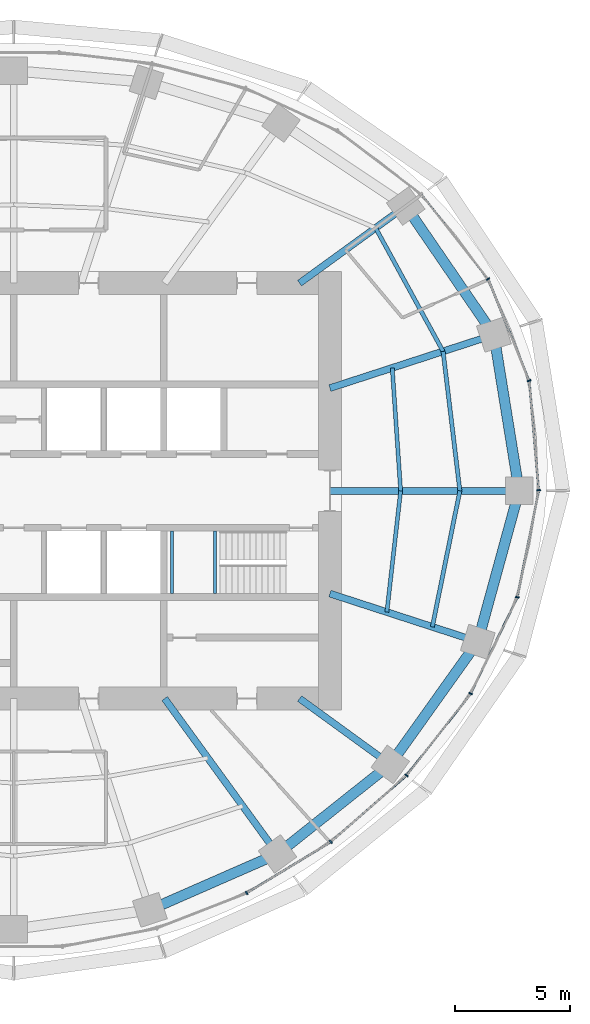
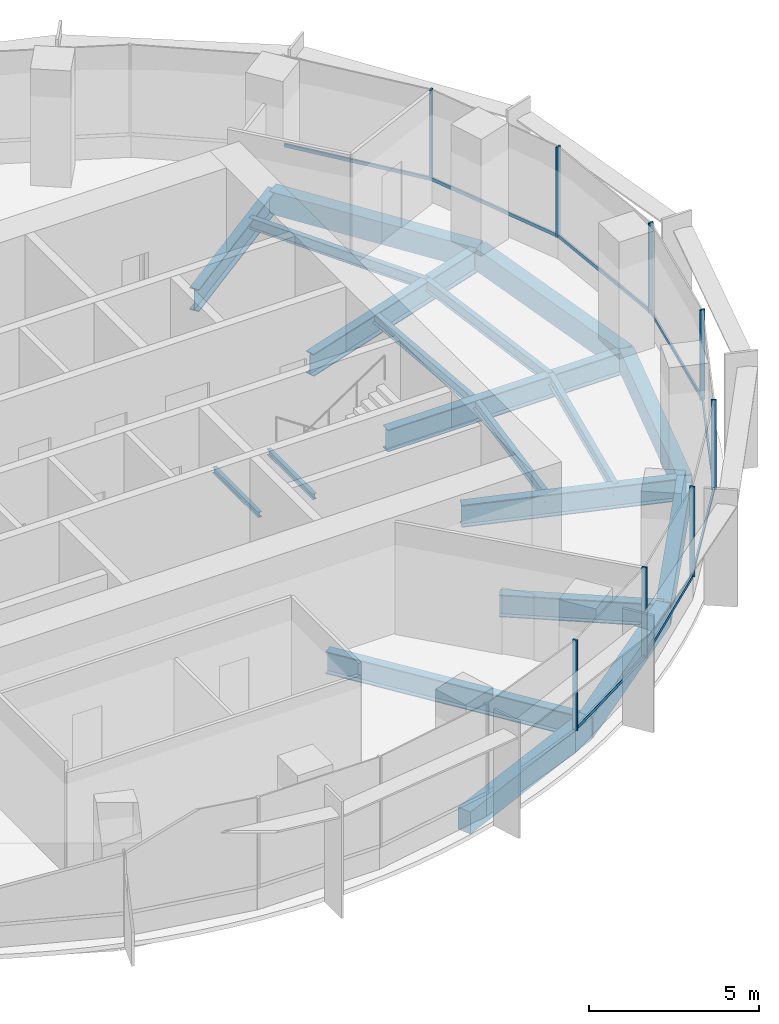
# One storey, part 5 of 13: 19 beams, 16 members, 2 elements without a shape of their own.
"""IFC4 building model written with IfcOpenShell, lengths in metres."""

import ifcopenshell
import ifcopenshell.guid

model = None  # the IFC model being written
_history = None  # IfcOwnerHistory: only IFC2X3 demands one
_inside = {}  # id of a spatial element -> (the spatial element, [elements in it])
_under = {}  # id of a project, library or spatial element -> (it, [spatial elements below it])
_declared = {}  # id of a project -> (the project, [libraries it declares])
_typed = {}  # id of a type object -> (the type object, [elements of that type])
_made_of = {}  # id of a material, layer set ... -> (it, [elements and type objects made of it])


def new_model(schema):
    """Start an empty IFC model of exactly this schema.

    Asked for "IFC4X3", IfcOpenShell would pick the latest addendum, in which some entities
    have other attributes; the version numbers below select the first issue.
    IFC2X3 requires an IfcOwnerHistory on every rooted entity: one is made here for all.
    """
    global model, _history
    if schema == "IFC4X3":
        model = ifcopenshell.file(schema_version=(4, 3, 0, 0))
    else:
        model = ifcopenshell.file(schema=schema)
    _inside.clear()
    _under.clear()
    _declared.clear()
    _typed.clear()
    _made_of.clear()
    _history = None
    if model.schema == "IFC2X3":
        org = make("IfcOrganization", Name="unknown")
        user = make(
            "IfcPersonAndOrganization",
            ThePerson=make("IfcPerson", FamilyName="unknown"),
            TheOrganization=org,
        )
        app = make(
            "IfcApplication",
            ApplicationDeveloper=org,
            Version="unknown",
            ApplicationFullName="unknown",
            ApplicationIdentifier="unknown",
        )
        _history = make(
            "IfcOwnerHistory",
            OwningUser=user,
            OwningApplication=app,
            ChangeAction="ADDED",
            CreationDate=0,
        )
    return model


def make(cls, **values):
    """One entity of the class cls with the attributes given. An attribute that is None is left unset."""
    return model.create_entity(
        cls, **{name: value for name, value in values.items() if value is not None}
    )


def rooted(cls, **values):
    """An entity with a GlobalId (a new one), such as an element, a storey or a relation."""
    return make(cls, GlobalId=ifcopenshell.guid.new(), OwnerHistory=_history, **values)


def si_unit(unit_type, name, prefix=None):
    """IfcSIUnit, for example si_unit("LENGTHUNIT", "METRE", prefix="MILLI")."""
    return make("IfcSIUnit", UnitType=unit_type, Prefix=prefix, Name=name)


def assignment(units):
    """IfcUnitAssignment: the units of a project."""
    return None if units is None else make("IfcUnitAssignment", Units=units)


def point(xyz):
    """IfcCartesianPoint."""
    return None if xyz is None else make("IfcCartesianPoint", Coordinates=xyz)


def direction(xyz):
    """IfcDirection."""
    return None if xyz is None else make("IfcDirection", DirectionRatios=xyz)


def frame(location, z_axis=None, x_axis=None):
    """IfcAxis2Placement3D, a coordinate frame: its origin and axes. An axis left out is left unset."""
    return make(
        "IfcAxis2Placement3D",
        Location=point(location),
        Axis=direction(z_axis),
        RefDirection=direction(x_axis),
    )


def frame_2d(location, x_axis=None):
    """IfcAxis2Placement2D, a coordinate frame in the plane: its origin and x axis."""
    return make(
        "IfcAxis2Placement2D", Location=point(location), RefDirection=direction(x_axis)
    )


def origin():
    """The frame at (0, 0, 0) with its axes left unset."""
    return frame((0.0, 0.0, 0.0))


def origin_2d():
    """The frame at (0, 0) in the plane with its x axis left unset."""
    return frame_2d((0.0, 0.0))


def place(relative_to, where):
    """IfcLocalPlacement: puts the frame where relative to a parent placement (None: the world)."""
    return make(
        "IfcLocalPlacement", PlacementRelTo=relative_to, RelativePlacement=where
    )


def context(
    kind, dimensions, precision=None, world=None, true_north=None, identifier=None
):
    """IfcGeometricRepresentationContext, for example the 3D "Model" context."""
    return make(
        "IfcGeometricRepresentationContext",
        ContextIdentifier=identifier,
        ContextType=kind,
        CoordinateSpaceDimension=dimensions,
        Precision=precision,
        WorldCoordinateSystem=world,
        TrueNorth=true_north,
    )


def subcontext(parent, identifier, kind, view, scale=None):
    """IfcGeometricRepresentationSubContext, for example "Body" below "Model"."""
    return make(
        "IfcGeometricRepresentationSubContext",
        ContextIdentifier=identifier,
        ContextType=kind,
        ParentContext=parent,
        TargetScale=scale,
        TargetView=view,
    )


def project(units=None, contexts=None):
    """IfcProject with its units and contexts."""
    return rooted(
        "IfcProject",
        Name="project",
        RepresentationContexts=contexts,
        UnitsInContext=assignment(units),
    )


def spatial(cls, under=None, at=None, **own):
    """A site, building, storey or space (cls), placed at a placement, below another one or the project."""
    s = rooted(cls, ObjectPlacement=at, **own)
    if under is not None:
        _under.setdefault(under.id(), (under, []))[1].append(s)
    return s


def profile(cls, at=None, kind="AREA", **sizes):
    """A parametric profile (cls). Its sizes go by their IFC names, for example OverallWidth=200.0."""
    return make(cls, ProfileType=kind, Position=at, **sizes)


def rectangle(**sizes):
    """IfcRectangleProfileDef."""
    return profile("IfcRectangleProfileDef", **sizes)


def i_section(**sizes):
    """IfcIShapeProfileDef."""
    return profile("IfcIShapeProfileDef", **sizes)


def extrude(swept, where, along, depth):
    """IfcExtrudedAreaSolid: the profile swept, set in the frame where, extruded along a direction by depth."""
    return make(
        "IfcExtrudedAreaSolid",
        SweptArea=swept,
        Position=where,
        ExtrudedDirection=direction(along),
        Depth=depth,
    )


def shape(context_of_items, identifier, shape_type, items):
    """IfcShapeRepresentation: the items that make up one representation, for example the "Body"."""
    return make(
        "IfcShapeRepresentation",
        ContextOfItems=context_of_items,
        RepresentationIdentifier=identifier,
        RepresentationType=shape_type,
        Items=items,
    )


def material(Name=None, Category=None):
    """IfcMaterial."""
    return make("IfcMaterial", Name=Name, Category=Category)


def material_profile(
    of_material, cross_section, Name=None, Category=None, Priority=None
):
    """IfcMaterialProfile: a cross section and its material."""
    return make(
        "IfcMaterialProfile",
        Name=Name,
        Material=of_material,
        Profile=cross_section,
        Priority=Priority,
        Category=Category,
    )


def profile_set(profiles, Name=None, composite=None):
    """IfcMaterialProfileSet."""
    return make(
        "IfcMaterialProfileSet",
        Name=Name,
        MaterialProfiles=profiles,
        CompositeProfile=composite,
    )


def made_of(thing, what):
    """Note that an element or type object is made of a material, layer set ...; save() writes the relation."""
    if what is not None:
        _made_of.setdefault(what.id(), (what, []))[1].append(thing)
    return thing


def type_object(cls, material=None, **own):
    """A type object (cls), such as IfcWallType, which elements share."""
    return made_of(rooted(cls, **own), material)


def element(
    cls,
    number,
    at=None,
    inside=None,
    cuts=None,
    type_object=None,
    material=None,
    context=None,
    identifier="Body",
    shape_type=None,
    held_by="IfcProductDefinitionShape",
    body=None,
    shapes=None,
    **own,
):
    """One element of the class cls, such as IfcWall. Its Tag is "e" and its number.

    at: its placement. inside: the storey or other place that contains it. cuts: it is an
    opening in that element (IfcRelVoidsElement). A single representation is given by context,
    identifier, shape_type and body (its items); several are given by shapes. held_by: the class
    of the entity that holds the representations. save() writes the other relations.
    """
    e = rooted(cls, Tag="e%d" % number, ObjectPlacement=at, **own)
    if body is not None:
        shapes = [shape(context, identifier, shape_type, body)]
    if shapes is not None:
        e.Representation = make(held_by, Representations=shapes)
    if inside is not None:
        _inside.setdefault(inside.id(), (inside, []))[1].append(e)
    if cuts is not None:
        rooted(
            "IfcRelVoidsElement", RelatingBuildingElement=cuts, RelatedOpeningElement=e
        )
    if type_object is not None:
        _typed.setdefault(type_object.id(), (type_object, []))[1].append(e)
    return made_of(e, material)


def aggregate(whole, parts):
    """IfcRelAggregates: a whole, such as a stair, and the parts it consists of."""
    return rooted("IfcRelAggregates", RelatingObject=whole, RelatedObjects=parts)


def save(model, path):
    """Write the relations noted so far, then the file.

    IfcRelAggregates (storeys below a building ...), IfcRelContainedInSpatialStructure (elements
    in a storey), IfcRelDefinesByType, IfcRelAssociatesMaterial and IfcRelDeclares: one each for
    every whole, place, type object, material and project.
    """
    for whole, parts in _under.values():
        aggregate(whole, parts)
    for where, things in _inside.values():
        rooted(
            "IfcRelContainedInSpatialStructure",
            RelatedElements=things,
            RelatingStructure=where,
        )
    for kind, things in _typed.values():
        rooted("IfcRelDefinesByType", RelatedObjects=things, RelatingType=kind)
    for what, things in _made_of.values():
        rooted("IfcRelAssociatesMaterial", RelatedObjects=things, RelatingMaterial=what)
    for by, libraries in _declared.values():
        rooted("IfcRelDeclares", RelatingContext=by, RelatedDefinitions=libraries)
    model.write(path)


model = new_model("IFC4")

# Units and contexts
model_context = context("Model", 3, precision=1e-05, world=origin(), true_north=direction((0.0, 1.0)))
body_context = subcontext(model_context, "Body", "Model", "MODEL_VIEW")
ifc_project = project(units=[si_unit("LENGTHUNIT", "METRE"), si_unit("AREAUNIT", "SQUARE_METRE"), si_unit("VOLUMEUNIT", "CUBIC_METRE"), si_unit("PLANEANGLEUNIT", "RADIAN"), si_unit("MASSUNIT", "GRAM", prefix="KILO")], contexts=[model_context])

# Site, building, storey
site_placement = place(None, origin())
site = spatial("IfcSite", under=ifc_project, at=site_placement, CompositionType="ELEMENT")
building_placement = place(site_placement, origin())
building = spatial("IfcBuilding", under=site, at=building_placement, Name="Marramba Exchange Tower", CompositionType="ELEMENT")
storey_placement = place(building_placement, frame((0.0, 0.0, 268.60009765625)))
storey = spatial("IfcBuildingStorey", under=building, at=storey_placement, Name="L65", CompositionType="ELEMENT", Elevation=268.60009765625)

# Curtain wall, members
ifc_material_1 = material(Name="Aluminium framing, bronze anodised", Category="aluminium")
curtain_wall_type = type_object("IfcCurtainWallType", Name="Executive floor ribbon curtain wall", PredefinedType="USERDEFINED", material=ifc_material_1)
curtain_wall_1_placement = place(storey_placement, origin())
curtain_wall_1 = element("IfcCurtainWall", 1, at=curtain_wall_1_placement, inside=storey, type_object=curtain_wall_type, Name="Curtain wall CW5 L65 F01-F05", ObjectType="RIBBON CURTAIN WALL", PredefinedType="USERDEFINED")
ifc_material_2 = material(Name="Aluminium mullion, bronze anodised", Category="aluminium")
ifc_material_profile_1 = material_profile(ifc_material_2, rectangle(XDim=0.159912109375, YDim=0.06005859375, at=origin_2d()), Name="CW5 mullion 60x160")
ifc_profile_set_1 = profile_set([ifc_material_profile_1], Name="Aluminium mullion, bronze anodised")
member_type_1 = type_object("IfcMemberType", Name="Executive floor ribbon curtain wall mullion", PredefinedType="MULLION", material=ifc_profile_set_1)
member_1_placement = place(storey_placement, frame((22.747314453125, 0.02978515625, 0.7998046875), z_axis=(0.0, 0.0, 1.0), x_axis=(-0.996331816632, -0.085574009881, 0.0)))
member_1 = element("IfcMember", 2, at=member_1_placement, type_object=member_type_1, Name="CW5 mullion 1", PredefinedType="MULLION", context=body_context, shape_type="SweptSolid", body=[
    extrude(rectangle(XDim=0.159912109375, YDim=0.06005859375, at=origin_2d()), origin(), (0.0, 0.0, 1.0), 3.239990234375),
])
member_2_placement = place(storey_placement, frame((22.330810546875, 4.77685546875, 0.7998046875), z_axis=(0.0, 0.0, 1.0), x_axis=(-0.927838139977, -0.372983090774, 0.0)))
member_2 = element("IfcMember", 3, at=member_2_placement, type_object=member_type_1, Name="CW5 mullion 1", PredefinedType="MULLION", context=body_context, shape_type="SweptSolid", body=[
    extrude(rectangle(XDim=0.159912109375, YDim=0.06005859375, at=origin_2d()), origin(), (0.0, 0.0, 1.0), 3.239990234375),
])
member_3_placement = place(storey_placement, frame((20.551025390625, 9.181884765625, 0.7998046875), z_axis=(0.0, 0.0, 1.0), x_axis=(-0.786002861604, -0.618222857512, 0.0)))
member_3 = element("IfcMember", 4, at=member_3_placement, type_object=member_type_1, Name="CW5 mullion 1", PredefinedType="MULLION", context=body_context, shape_type="SweptSolid", body=[
    extrude(rectangle(XDim=0.159912109375, YDim=0.06005859375, at=origin_2d()), origin(), (0.0, 0.0, 1.0), 3.239990234375),
])

curtain_wall_2_placement = place(storey_placement, origin())
curtain_wall_2 = element("IfcCurtainWall", 5, at=curtain_wall_2_placement, inside=storey, type_object=curtain_wall_type, Name="Curtain wall CW5 L65 F26-F30", ObjectType="RIBBON CURTAIN WALL", PredefinedType="USERDEFINED")
member_4_placement = place(storey_placement, frame((10.09619140625, -17.42724609375, 0.7998046875), z_axis=(0.0, 0.0, 1.0), x_axis=(-0.519115121209, 0.854704329539, 0.0)))
member_4 = element("IfcMember", 6, at=member_4_placement, type_object=member_type_1, Name="CW5 mullion 1", PredefinedType="MULLION", context=body_context, shape_type="SweptSolid", body=[
    extrude(rectangle(XDim=0.159912109375, YDim=0.06005859375, at=origin_2d()), origin(), (0.0, 0.0, 1.0), 3.239990234375),
])
member_5_placement = place(storey_placement, frame((13.736083984375, -15.21044921875, 0.7998046875), z_axis=(0.0, 0.0, 1.0), x_axis=(-0.658305290779, 0.752751050569, 0.0)))
member_5 = element("IfcMember", 7, at=member_5_placement, type_object=member_type_1, Name="CW5 mullion 1", PredefinedType="MULLION", context=body_context, shape_type="SweptSolid", body=[
    extrude(rectangle(XDim=0.159912109375, YDim=0.06005859375, at=origin_2d()), origin(), (0.0, 0.0, 1.0), 3.239990234375),
])
member_6_placement = place(storey_placement, frame((17.021484375, -12.329833984375, 0.7998046875), z_axis=(0.0, 0.0, 1.0), x_axis=(-0.78594954734, 0.618290634763, 0.0)))
member_6 = element("IfcMember", 8, at=member_6_placement, type_object=member_type_1, Name="CW5 mullion 1", PredefinedType="MULLION", context=body_context, shape_type="SweptSolid", body=[
    extrude(rectangle(XDim=0.159912109375, YDim=0.06005859375, at=origin_2d()), origin(), (0.0, 0.0, 1.0), 3.239990234375),
])
member_7_placement = place(storey_placement, frame((19.802978515625, -8.783935546875, 0.7998046875), z_axis=(0.0, 0.0, 1.0), x_axis=(-0.89969718031, 0.436514585945, 0.0)))
member_7 = element("IfcMember", 9, at=member_7_placement, type_object=member_type_1, Name="CW5 mullion 1", PredefinedType="MULLION", context=body_context, shape_type="SweptSolid", body=[
    extrude(rectangle(XDim=0.159912109375, YDim=0.06005859375, at=origin_2d()), origin(), (0.0, 0.0, 1.0), 3.239990234375),
])
member_8_placement = place(storey_placement, frame((21.82080078125, -4.607421875, 0.7998046875), z_axis=(0.0, 0.0, 1.0), x_axis=(-0.980268514856, 0.19767053089, 0.0)))
member_8 = element("IfcMember", 10, at=member_8_placement, type_object=member_type_1, Name="CW5 mullion 1", PredefinedType="MULLION", context=body_context, shape_type="SweptSolid", body=[
    extrude(rectangle(XDim=0.159912109375, YDim=0.06005859375, at=origin_2d()), origin(), (0.0, 0.0, 1.0), 3.239990234375),
])

# Member
ifc_material_3 = material(Name="Aluminium transom, bronze anodised", Category="aluminium")
ifc_material_profile_2 = material_profile(ifc_material_3, rectangle(XDim=0.06005859375, YDim=0.1201171875, at=origin_2d()), Name="CW5 transom 60x120")
ifc_profile_set_2 = profile_set([ifc_material_profile_2], Name="Aluminium transom, bronze anodised")
member_type_2 = type_object("IfcMemberType", Name="Executive floor ribbon curtain wall transom", PredefinedType="USERDEFINED", material=ifc_profile_set_2)
member_9_placement = place(storey_placement, frame((22.744873046875, 0.059814453125, 0.829833984375), z_axis=(-0.085590935521, 0.99633036276, 0.0), x_axis=(-0.99633036276, -0.085590935521, 0.0)))
member_9 = element("IfcMember", 11, at=member_9_placement, type_object=member_type_2, Name="CW5 sill transom", ObjectType="TRANSOM", PredefinedType="USERDEFINED", context=body_context, shape_type="SweptSolid", body=[
    extrude(rectangle(XDim=0.06005859375, YDim=0.1201171875, at=origin_2d()), origin(), (0.0, 0.0, 1.0), 4.70654296875),
])

member_10_placement = place(storey_placement, frame((22.31982421875, 4.8046875, 0.829833984375), z_axis=(-0.37301385018, 0.927825774364, 0.0), x_axis=(-0.927825774364, -0.37301385018, 0.0)))
member_10 = element("IfcMember", 12, at=member_10_placement, type_object=member_type_2, Name="CW5 sill transom", ObjectType="TRANSOM", PredefinedType="USERDEFINED", context=body_context, shape_type="SweptSolid", body=[
    extrude(rectangle(XDim=0.06005859375, YDim=0.1201171875, at=origin_2d()), origin(), (0.0, 0.0, 1.0), 4.692138671875),
])

member_11_placement = place(storey_placement, frame((20.532470703125, 9.205322265625, 0.829833984375), z_axis=(-0.618203819414, 0.78601783546, 0.0), x_axis=(-0.78601783546, -0.618203819414, 0.0)))
member_11 = element("IfcMember", 13, at=member_11_placement, type_object=member_type_2, Name="CW5 sill transom", ObjectType="TRANSOM", PredefinedType="USERDEFINED", context=body_context, shape_type="SweptSolid", body=[
    extrude(rectangle(XDim=0.06005859375, YDim=0.1201171875, at=origin_2d()), origin(), (0.0, 0.0, 1.0), 4.625),
])

aggregate(curtain_wall_1, [member_1, member_9, member_2, member_10, member_3, member_11])

member_12_placement = place(storey_placement, frame((10.121826171875, -17.41162109375, 0.829833984375), z_axis=(0.854701897511, 0.519119125434, 0.0), x_axis=(-0.519119125434, 0.854701897511, 0.0)))
member_12 = element("IfcMember", 14, at=member_12_placement, type_object=member_type_2, Name="CW5 sill transom", ObjectType="TRANSOM", PredefinedType="USERDEFINED", context=body_context, shape_type="SweptSolid", body=[
    extrude(rectangle(XDim=0.06005859375, YDim=0.1201171875, at=origin_2d()), origin(), (0.0, 0.0, 1.0), 4.2021484375),
])

member_13_placement = place(storey_placement, frame((13.758544921875, -15.19091796875, 0.829833984375), z_axis=(0.752741590247, 0.658316108198, 0.0), x_axis=(-0.658316108198, 0.752741590247, 0.0)))
member_13 = element("IfcMember", 15, at=member_13_placement, type_object=member_type_2, Name="CW5 sill transom", ObjectType="TRANSOM", PredefinedType="USERDEFINED", context=body_context, shape_type="SweptSolid", body=[
    extrude(rectangle(XDim=0.06005859375, YDim=0.1201171875, at=origin_2d()), origin(), (0.0, 0.0, 1.0), 4.31005859375),
])

member_14_placement = place(storey_placement, frame((17.0400390625, -12.30615234375, 0.829833984375), z_axis=(0.618320881677, 0.785925751762, 0.0), x_axis=(-0.785925751762, 0.618320881677, 0.0)))
member_14 = element("IfcMember", 16, at=member_14_placement, type_object=member_type_2, Name="CW5 sill transom", ObjectType="TRANSOM", PredefinedType="USERDEFINED", context=body_context, shape_type="SweptSolid", body=[
    extrude(rectangle(XDim=0.06005859375, YDim=0.1201171875, at=origin_2d()), origin(), (0.0, 0.0, 1.0), 4.447021484375),
])

member_15_placement = place(storey_placement, frame((19.81591796875, -8.757080078125, 0.829833984375), z_axis=(0.436519399678, 0.899694844769, 0.0), x_axis=(-0.899694844769, 0.436519399678, 0.0)))
member_15 = element("IfcMember", 17, at=member_15_placement, type_object=member_type_2, Name="CW5 sill transom", ObjectType="TRANSOM", PredefinedType="USERDEFINED", context=body_context, shape_type="SweptSolid", body=[
    extrude(rectangle(XDim=0.06005859375, YDim=0.1201171875, at=origin_2d()), origin(), (0.0, 0.0, 1.0), 4.579345703125),
])

member_16_placement = place(storey_placement, frame((21.826904296875, -4.578125, 0.829833984375), z_axis=(0.197654002556, 0.980271847639, 0.0), x_axis=(-0.980271847639, 0.197654002556, 0.0)))
member_16 = element("IfcMember", 18, at=member_16_placement, type_object=member_type_2, Name="CW5 sill transom", ObjectType="TRANSOM", PredefinedType="USERDEFINED", context=body_context, shape_type="SweptSolid", body=[
    extrude(rectangle(XDim=0.06005859375, YDim=0.1201171875, at=origin_2d()), origin(), (0.0, 0.0, 1.0), 4.670166015625),
])

aggregate(curtain_wall_2, [member_4, member_12, member_5, member_13, member_6, member_14, member_7, member_15, member_8, member_16])

# Beams
ifc_material_4 = material(Name="Steel AS/NZS 3679.1 grade 300", Category="steel")
ifc_material_profile_3 = material_profile(ifc_material_4, i_section(OverallWidth=0.1708984375, OverallDepth=0.35595703125, WebThickness=0.00732421875, FlangeThickness=0.011474609375, FilletRadius=0.011474609375, at=origin_2d()), Name="360UB50.7")
ifc_profile_set_3 = profile_set([ifc_material_profile_3], Name="Steel AS/NZS 3679.1 grade 300")
beam_type_1 = type_object("IfcBeamType", Name="Floor joist 360UB50.7", PredefinedType="JOIST", material=ifc_profile_set_3)
beam_1_placement = place(storey_placement, frame((16.7666015625, 0.0, -0.338134765625), z_axis=(-0.068096259546, 0.99767875563, 0.0), x_axis=(-0.99767875563, -0.068096259546, 0.0)))
element("IfcBeam", 19, at=beam_1_placement, inside=storey, type_object=beam_type_1, Name="Joist L65 bay 01 row 1", PredefinedType="JOIST", context=body_context, shape_type="SweptSolid", body=[
    extrude(i_section(OverallWidth=0.1708984375, OverallDepth=0.35595703125, WebThickness=0.00732421875, FlangeThickness=0.011474609375, FilletRadius=0.011474609375, at=origin_2d()), origin(), (0.0, 0.0, 1.0), 5.342041015625),
])
beam_2_placement = place(storey_placement, frame((16.169677734375, -5.25390625, -0.338134765625), z_axis=(0.112888968594, 0.993607609054, 0.0), x_axis=(-0.993607609054, 0.112888968594, 0.0)))
element("IfcBeam", 20, at=beam_2_placement, inside=storey, type_object=beam_type_1, Name="Joist L65 bay 20 row 1", PredefinedType="JOIST", context=body_context, shape_type="SweptSolid", body=[
    extrude(i_section(OverallWidth=0.1708984375, OverallDepth=0.35595703125, WebThickness=0.00732421875, FlangeThickness=0.011474609375, FilletRadius=0.011474609375, at=origin_2d()), origin(), (0.0, 0.0, 1.0), 5.28759765625),
])
ifc_material_profile_4 = material_profile(ifc_material_4, i_section(OverallWidth=0.177978515625, OverallDepth=0.403076171875, WebThickness=0.007568359375, FlangeThickness=0.010986328125, FilletRadius=0.011474609375, at=origin_2d()), Name="410UB53.7")
ifc_profile_set_4 = profile_set([ifc_material_profile_4], Name="Steel AS/NZS 3679.1 grade 300")
beam_type_2 = type_object("IfcBeamType", Name="Floor joist 410UB53.7", PredefinedType="JOIST", material=ifc_profile_set_4)
beam_3_placement = place(storey_placement, frame((19.333251953125, 0.0, -0.361572265625), z_axis=(-0.119523078538, 0.992831422597, 0.0), x_axis=(-0.992831422597, -0.119523078538, 0.0)))
element("IfcBeam", 21, at=beam_3_placement, inside=storey, type_object=beam_type_2, Name="Joist L65 bay 01 row 2", PredefinedType="JOIST", context=body_context, shape_type="SweptSolid", body=[
    extrude(i_section(OverallWidth=0.177978515625, OverallDepth=0.403076171875, WebThickness=0.007568359375, FlangeThickness=0.010986328125, FilletRadius=0.011474609375, at=origin_2d()), origin(), (0.0, 0.0, 1.0), 6.089111328125),
])
beam_4_placement = place(storey_placement, frame((18.60546875, 6.04541015625, -0.361572265625), z_axis=(-0.479584443791, 0.877495732909, 0.0), x_axis=(-0.877495732909, -0.479584443791, 0.0)))
element("IfcBeam", 22, at=beam_4_placement, inside=storey, type_object=beam_type_2, Name="Joist L65 bay 02 row 2", PredefinedType="JOIST", context=body_context, shape_type="SweptSolid", body=[
    extrude(i_section(OverallWidth=0.177978515625, OverallDepth=0.403076171875, WebThickness=0.007568359375, FlangeThickness=0.010986328125, FilletRadius=0.011474609375, at=origin_2d()), origin(), (0.0, 0.0, 1.0), 6.094970703125),
])
beam_5_placement = place(storey_placement, frame((18.1396484375, -5.893798828125, -0.361572265625), z_axis=(0.198489047047, 0.980103105904, 0.0), x_axis=(-0.980103105904, 0.198489047047, 0.0)))
element("IfcBeam", 23, at=beam_5_placement, inside=storey, type_object=beam_type_2, Name="Joist L65 bay 20 row 2", PredefinedType="JOIST", context=body_context, shape_type="SweptSolid", body=[
    extrude(i_section(OverallWidth=0.177978515625, OverallDepth=0.403076171875, WebThickness=0.007568359375, FlangeThickness=0.010986328125, FilletRadius=0.011474609375, at=origin_2d()), origin(), (0.0, 0.0, 1.0), 6.013427734375),
])
ifc_material_5 = material(Name="Steel AS/NZS 3679.2 grade 300", Category="steel")
ifc_material_profile_5 = material_profile(ifc_material_5, i_section(OverallWidth=0.300048828125, OverallDepth=0.800048828125, WebThickness=0.013916015625, FlangeThickness=0.031982421875, at=origin_2d()), Name="800WB192")
ifc_profile_set_5 = profile_set([ifc_material_profile_5], Name="Steel AS/NZS 3679.2 grade 300")
beam_type_3 = type_object("IfcBeamType", Name="Radial girder 800WB192", PredefinedType="BEAM", material=ifc_profile_set_5)
beam_6_placement = place(storey_placement, frame((13.699951171875, 0.0, -0.56005859375), z_axis=(1.0, 0.0, 0.0), x_axis=(0.0, 1.0, 0.0)))
element("IfcBeam", 24, at=beam_6_placement, inside=storey, type_object=beam_type_3, Name="Radial girder L65 TC01", PredefinedType="BEAM", context=body_context, shape_type="SweptSolid", body=[
    extrude(i_section(OverallWidth=0.300048828125, OverallDepth=0.800048828125, WebThickness=0.013916015625, FlangeThickness=0.031982421875, at=origin_2d()), origin(), (0.0, 0.0, 1.0), 8.199951171875),
])
beam_7_placement = place(storey_placement, frame((13.699951171875, 4.451416015625, -0.56005859375), z_axis=(0.951059990189, 0.309006302624, 0.0), x_axis=(-0.309006302624, 0.951059990189, 0.0)))
element("IfcBeam", 25, at=beam_7_placement, inside=storey, type_object=beam_type_3, Name="Radial girder L65 TC02", PredefinedType="BEAM", context=body_context, shape_type="SweptSolid", body=[
    extrude(i_section(OverallWidth=0.300048828125, OverallDepth=0.800048828125, WebThickness=0.013916015625, FlangeThickness=0.031982421875, at=origin_2d()), origin(), (0.0, 0.0, 1.0), 7.47412109375),
])
beam_8_placement = place(storey_placement, frame((12.387451171875, 9.0, -0.56005859375), z_axis=(0.809025746925, 0.587773205252, 0.0), x_axis=(-0.587773205252, 0.809025746925, 0.0)))
element("IfcBeam", 26, at=beam_8_placement, inside=storey, type_object=beam_type_3, Name="Radial girder L65 TC03", PredefinedType="BEAM", context=body_context, shape_type="SweptSolid", body=[
    extrude(i_section(OverallWidth=0.300048828125, OverallDepth=0.800048828125, WebThickness=0.013916015625, FlangeThickness=0.031982421875, at=origin_2d()), origin(), (0.0, 0.0, 1.0), 5.683837890625),
])
beam_9_placement = place(storey_placement, frame((6.538818359375, -9.0, -0.56005859375), z_axis=(0.587787877172, -0.809015087282, 0.0), x_axis=(0.809015087282, 0.587787877172, 0.0)))
element("IfcBeam", 27, at=beam_9_placement, inside=storey, type_object=beam_type_3, Name="Radial girder L65 TC18", PredefinedType="BEAM", context=body_context, shape_type="SweptSolid", body=[
    extrude(i_section(OverallWidth=0.300048828125, OverallDepth=0.800048828125, WebThickness=0.013916015625, FlangeThickness=0.031982421875, at=origin_2d()), origin(), (0.0, 0.0, 1.0), 8.322021484375),
])
beam_10_placement = place(storey_placement, frame((12.387451171875, -9.0, -0.56005859375), z_axis=(0.809025189606, -0.58777397236, 0.0), x_axis=(0.58777397236, 0.809025189606, 0.0)))
element("IfcBeam", 28, at=beam_10_placement, inside=storey, type_object=beam_type_3, Name="Radial girder L65 TC19", PredefinedType="BEAM", context=body_context, shape_type="SweptSolid", body=[
    extrude(i_section(OverallWidth=0.300048828125, OverallDepth=0.800048828125, WebThickness=0.013916015625, FlangeThickness=0.031982421875, at=origin_2d()), origin(), (0.0, 0.0, 1.0), 4.855224609375),
])
beam_11_placement = place(storey_placement, frame((13.699951171875, -4.451416015625, -0.56005859375), z_axis=(0.951057759669, -0.309013167637, 0.0), x_axis=(0.309013167637, 0.951057759669, 0.0)))
element("IfcBeam", 29, at=beam_11_placement, inside=storey, type_object=beam_type_3, Name="Radial girder L65 TC20", PredefinedType="BEAM", context=body_context, shape_type="SweptSolid", body=[
    extrude(i_section(OverallWidth=0.300048828125, OverallDepth=0.800048828125, WebThickness=0.013916015625, FlangeThickness=0.031982421875, at=origin_2d()), origin(), (0.0, 0.0, 1.0), 6.7392578125),
])
ifc_material_6 = material(Name="Concrete N50", Category="concrete")
ifc_material_profile_6 = material_profile(ifc_material_6, rectangle(XDim=0.449951171875, YDim=0.800048828125, at=origin_2d()), Name="RC 450x800")
ifc_profile_set_6 = profile_set([ifc_material_profile_6], Name="Concrete N50")
beam_type_4 = type_object("IfcBeamType", Name="Ring beam RC 450x800 N50", PredefinedType="SPANDREL", material=ifc_profile_set_6)
beam_12_placement = place(storey_placement, frame((21.89990234375, 0.0, -0.56005859375), z_axis=(-0.159384865399, 0.987216523708, 0.0), x_axis=(-0.987216523708, -0.159384865399, 0.0)))
element("IfcBeam", 30, at=beam_12_placement, inside=storey, type_object=beam_type_4, Name="Ring beam L65 TC01-TC02", PredefinedType="SPANDREL", context=body_context, shape_type="SweptSolid", body=[
    extrude(rectangle(XDim=0.449951171875, YDim=0.800048828125, at=origin_2d()), origin(), (0.0, 0.0, 1.0), 6.8486328125),
])
beam_13_placement = place(storey_placement, frame((20.808349609375, 6.760986328125, -0.56005859375), z_axis=(-0.56516002054, 0.824981303535, 0.0), x_axis=(-0.824981303535, -0.56516002054, 0.0)))
element("IfcBeam", 31, at=beam_13_placement, inside=storey, type_object=beam_type_4, Name="Ring beam L65 TC02-TC03", PredefinedType="SPANDREL", context=body_context, shape_type="SweptSolid", body=[
    extrude(rectangle(XDim=0.449951171875, YDim=0.800048828125, at=origin_2d()), origin(), (0.0, 0.0, 1.0), 6.763671875),
])
beam_14_placement = place(storey_placement, frame((5.899658203125, -18.156982421875, -0.56005859375), z_axis=(0.915876892158, 0.4014592363, 0.0), x_axis=(-0.4014592363, 0.915876892158, 0.0)))
element("IfcBeam", 32, at=beam_14_placement, inside=storey, type_object=beam_type_4, Name="Ring beam L65 TC17-TC18", PredefinedType="SPANDREL", context=body_context, shape_type="SweptSolid", body=[
    extrude(rectangle(XDim=0.449951171875, YDim=0.800048828125, at=origin_2d()), origin(), (0.0, 0.0, 1.0), 6.038818359375),
])
beam_15_placement = place(storey_placement, frame((11.430419921875, -15.732666015625, -0.56005859375), z_axis=(0.783139438128, 0.621846138887, 0.0), x_axis=(-0.621846138887, 0.783139438128, 0.0)))
element("IfcBeam", 33, at=beam_15_placement, inside=storey, type_object=beam_type_4, Name="Ring beam L65 TC18-TC19", PredefinedType="SPANDREL", context=body_context, shape_type="SweptSolid", body=[
    extrude(rectangle(XDim=0.449951171875, YDim=0.800048828125, at=origin_2d()), origin(), (0.0, 0.0, 1.0), 6.23779296875),
])
beam_16_placement = place(storey_placement, frame((16.3154296875, -11.853759765625, -0.56005859375), z_axis=(0.580637181111, 0.814162430914, 0.0), x_axis=(-0.814162430914, 0.580637181111, 0.0)))
element("IfcBeam", 34, at=beam_16_placement, inside=storey, type_object=beam_type_4, Name="Ring beam L65 TC19-TC20", PredefinedType="SPANDREL", context=body_context, shape_type="SweptSolid", body=[
    extrude(rectangle(XDim=0.449951171875, YDim=0.800048828125, at=origin_2d()), origin(), (0.0, 0.0, 1.0), 6.5341796875),
])
beam_17_placement = place(storey_placement, frame((20.109375, -6.533935546875, -0.56005859375), z_axis=(0.264291166956, 0.964442937176, 0.0), x_axis=(-0.964442937176, 0.264291166956, 0.0)))
element("IfcBeam", 35, at=beam_17_placement, inside=storey, type_object=beam_type_4, Name="Ring beam L65 TC20-TC01", PredefinedType="SPANDREL", context=body_context, shape_type="SweptSolid", body=[
    extrude(rectangle(XDim=0.449951171875, YDim=0.800048828125, at=origin_2d()), origin(), (0.0, 0.0, 1.0), 6.77490234375),
])
ifc_material_profile_7 = material_profile(ifc_material_4, i_section(OverallWidth=0.133056640625, OverallDepth=0.202880859375, WebThickness=0.005859375, FlangeThickness=0.0078125, FilletRadius=0.0087890625, at=origin_2d()), Name="200UB25.4")
ifc_profile_set_7 = profile_set([ifc_material_profile_7], Name="Steel AS/NZS 3679.1 grade 300")
beam_type_5 = type_object("IfcBeamType", Name="Stair landing beam 200UB25.4", PredefinedType="BEAM", material=ifc_profile_set_7)
for number, where, z_axis, x_axis, name in (
    (36, (6.866455078125, -4.449951171875, 1.79833984375), (0.0, 1.0, 0.0), (-1.0, 0.0, 0.0), "Stair landing beam SLB1 ST2 L65 1"),
    (37, (8.723388671875, -4.449951171875, 1.79833984375), (0.0, 1.0, 0.0), (-1.0, 0.0, 0.0), "Stair landing beam SLB1 ST2 L65 2"),
):
    element("IfcBeam", number, at=place(storey_placement, frame(where, z_axis=z_axis, x_axis=x_axis)), inside=storey, type_object=beam_type_5, Name=name, PredefinedType="BEAM", context=body_context, shape_type="SweptSolid", body=[
        extrude(i_section(OverallWidth=0.133056640625, OverallDepth=0.202880859375, WebThickness=0.005859375, FlangeThickness=0.0078125, FilletRadius=0.0087890625, at=origin_2d()), origin(), (0.0, 0.0, 1.0), 2.699951171875),
    ])

save(model, "model.ifc")
